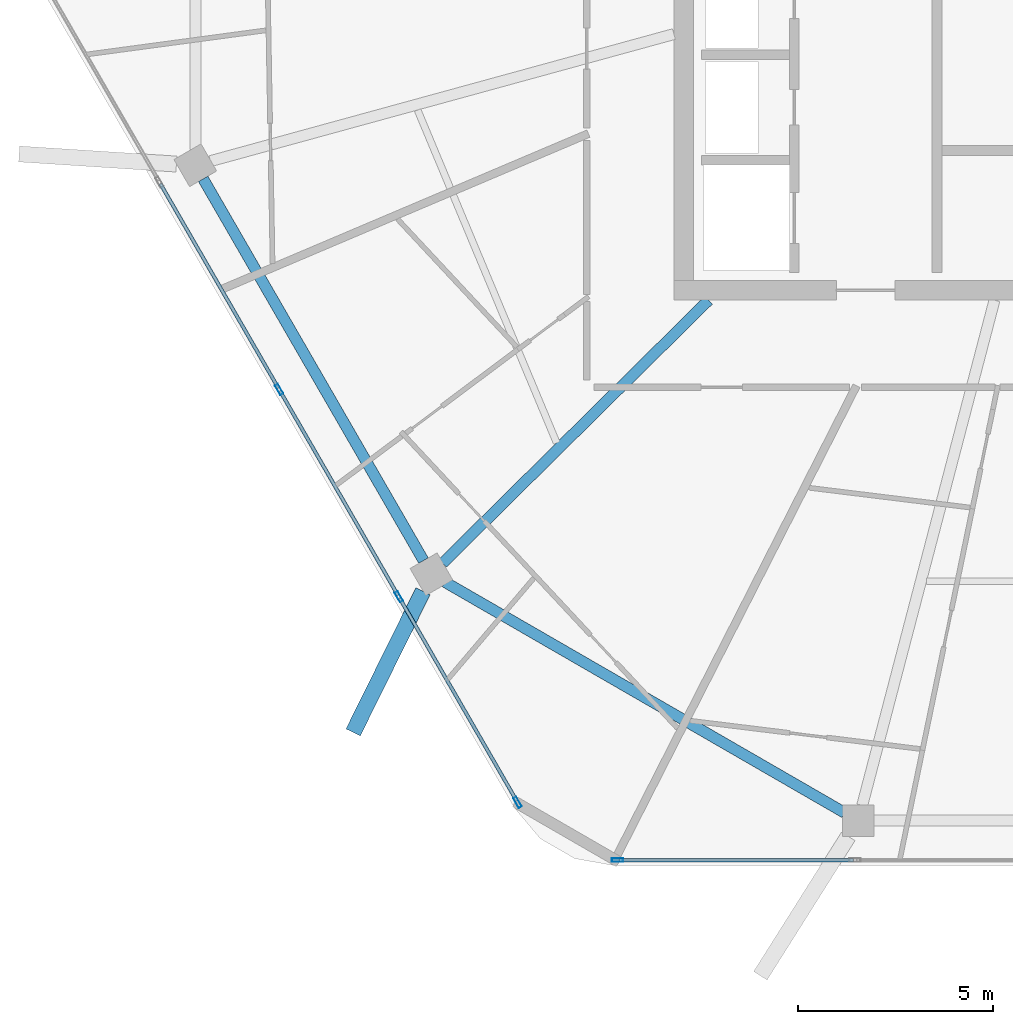
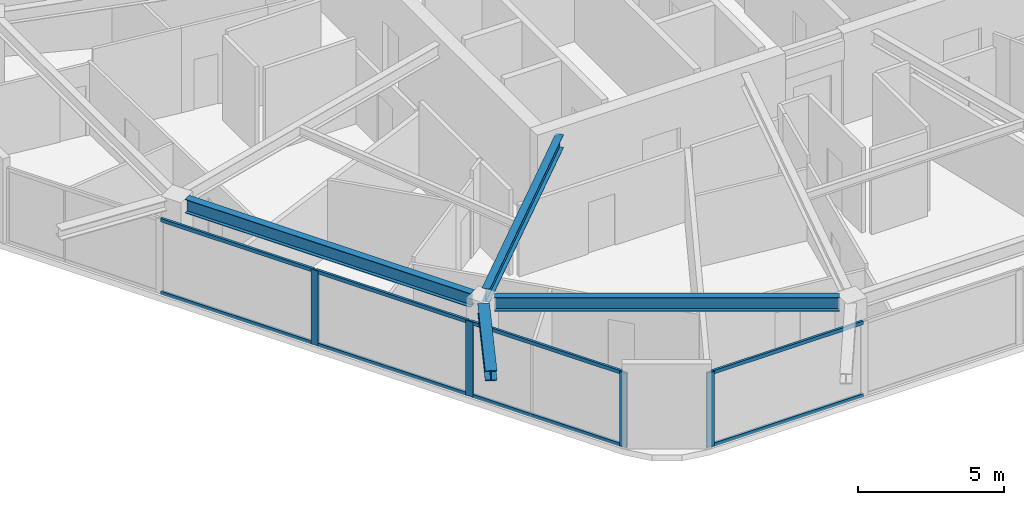
# One storey, part 2 of 19: 12 members, 4 beams, 2 elements without a shape of their own.
"""IFC4 building model written with IfcOpenShell, lengths in metres."""

import ifcopenshell
import ifcopenshell.guid

model = None  # the IFC model being written
_history = None  # IfcOwnerHistory: only IFC2X3 demands one
_inside = {}  # id of a spatial element -> (the spatial element, [elements in it])
_under = {}  # id of a project, library or spatial element -> (it, [spatial elements below it])
_declared = {}  # id of a project -> (the project, [libraries it declares])
_typed = {}  # id of a type object -> (the type object, [elements of that type])
_made_of = {}  # id of a material, layer set ... -> (it, [elements and type objects made of it])


def new_model(schema):
    """Start an empty IFC model of exactly this schema.

    Asked for "IFC4X3", IfcOpenShell would pick the latest addendum, in which some entities
    have other attributes; the version numbers below select the first issue.
    IFC2X3 requires an IfcOwnerHistory on every rooted entity: one is made here for all.
    """
    global model, _history
    if schema == "IFC4X3":
        model = ifcopenshell.file(schema_version=(4, 3, 0, 0))
    else:
        model = ifcopenshell.file(schema=schema)
    _inside.clear()
    _under.clear()
    _declared.clear()
    _typed.clear()
    _made_of.clear()
    _history = None
    if model.schema == "IFC2X3":
        org = make("IfcOrganization", Name="unknown")
        user = make(
            "IfcPersonAndOrganization",
            ThePerson=make("IfcPerson", FamilyName="unknown"),
            TheOrganization=org,
        )
        app = make(
            "IfcApplication",
            ApplicationDeveloper=org,
            Version="unknown",
            ApplicationFullName="unknown",
            ApplicationIdentifier="unknown",
        )
        _history = make(
            "IfcOwnerHistory",
            OwningUser=user,
            OwningApplication=app,
            ChangeAction="ADDED",
            CreationDate=0,
        )
    return model


def make(cls, **values):
    """One entity of the class cls with the attributes given. An attribute that is None is left unset."""
    return model.create_entity(
        cls, **{name: value for name, value in values.items() if value is not None}
    )


def rooted(cls, **values):
    """An entity with a GlobalId (a new one), such as an element, a storey or a relation."""
    return make(cls, GlobalId=ifcopenshell.guid.new(), OwnerHistory=_history, **values)


def si_unit(unit_type, name, prefix=None):
    """IfcSIUnit, for example si_unit("LENGTHUNIT", "METRE", prefix="MILLI")."""
    return make("IfcSIUnit", UnitType=unit_type, Prefix=prefix, Name=name)


def assignment(units):
    """IfcUnitAssignment: the units of a project."""
    return None if units is None else make("IfcUnitAssignment", Units=units)


def point(xyz):
    """IfcCartesianPoint."""
    return None if xyz is None else make("IfcCartesianPoint", Coordinates=xyz)


def direction(xyz):
    """IfcDirection."""
    return None if xyz is None else make("IfcDirection", DirectionRatios=xyz)


def frame(location, z_axis=None, x_axis=None):
    """IfcAxis2Placement3D, a coordinate frame: its origin and axes. An axis left out is left unset."""
    return make(
        "IfcAxis2Placement3D",
        Location=point(location),
        Axis=direction(z_axis),
        RefDirection=direction(x_axis),
    )


def frame_2d(location, x_axis=None):
    """IfcAxis2Placement2D, a coordinate frame in the plane: its origin and x axis."""
    return make(
        "IfcAxis2Placement2D", Location=point(location), RefDirection=direction(x_axis)
    )


def origin():
    """The frame at (0, 0, 0) with its axes left unset."""
    return frame((0.0, 0.0, 0.0))


def origin_2d():
    """The frame at (0, 0) in the plane with its x axis left unset."""
    return frame_2d((0.0, 0.0))


def place(relative_to, where):
    """IfcLocalPlacement: puts the frame where relative to a parent placement (None: the world)."""
    return make(
        "IfcLocalPlacement", PlacementRelTo=relative_to, RelativePlacement=where
    )


def context(
    kind, dimensions, precision=None, world=None, true_north=None, identifier=None
):
    """IfcGeometricRepresentationContext, for example the 3D "Model" context."""
    return make(
        "IfcGeometricRepresentationContext",
        ContextIdentifier=identifier,
        ContextType=kind,
        CoordinateSpaceDimension=dimensions,
        Precision=precision,
        WorldCoordinateSystem=world,
        TrueNorth=true_north,
    )


def subcontext(parent, identifier, kind, view, scale=None):
    """IfcGeometricRepresentationSubContext, for example "Body" below "Model"."""
    return make(
        "IfcGeometricRepresentationSubContext",
        ContextIdentifier=identifier,
        ContextType=kind,
        ParentContext=parent,
        TargetScale=scale,
        TargetView=view,
    )


def project(units=None, contexts=None):
    """IfcProject with its units and contexts."""
    return rooted(
        "IfcProject",
        Name="project",
        RepresentationContexts=contexts,
        UnitsInContext=assignment(units),
    )


def spatial(cls, under=None, at=None, **own):
    """A site, building, storey or space (cls), placed at a placement, below another one or the project."""
    s = rooted(cls, ObjectPlacement=at, **own)
    if under is not None:
        _under.setdefault(under.id(), (under, []))[1].append(s)
    return s


def profile(cls, at=None, kind="AREA", **sizes):
    """A parametric profile (cls). Its sizes go by their IFC names, for example OverallWidth=200.0."""
    return make(cls, ProfileType=kind, Position=at, **sizes)


def hollow_rectangle(**sizes):
    """IfcRectangleHollowProfileDef."""
    return profile("IfcRectangleHollowProfileDef", **sizes)


def i_section(**sizes):
    """IfcIShapeProfileDef."""
    return profile("IfcIShapeProfileDef", **sizes)


def extrude(swept, where, along, depth):
    """IfcExtrudedAreaSolid: the profile swept, set in the frame where, extruded along a direction by depth."""
    return make(
        "IfcExtrudedAreaSolid",
        SweptArea=swept,
        Position=where,
        ExtrudedDirection=direction(along),
        Depth=depth,
    )


def shape(context_of_items, identifier, shape_type, items):
    """IfcShapeRepresentation: the items that make up one representation, for example the "Body"."""
    return make(
        "IfcShapeRepresentation",
        ContextOfItems=context_of_items,
        RepresentationIdentifier=identifier,
        RepresentationType=shape_type,
        Items=items,
    )


def material(Name=None, Category=None):
    """IfcMaterial."""
    return make("IfcMaterial", Name=Name, Category=Category)


def material_profile(
    of_material, cross_section, Name=None, Category=None, Priority=None
):
    """IfcMaterialProfile: a cross section and its material."""
    return make(
        "IfcMaterialProfile",
        Name=Name,
        Material=of_material,
        Profile=cross_section,
        Priority=Priority,
        Category=Category,
    )


def profile_set(profiles, Name=None, composite=None):
    """IfcMaterialProfileSet."""
    return make(
        "IfcMaterialProfileSet",
        Name=Name,
        MaterialProfiles=profiles,
        CompositeProfile=composite,
    )


def made_of(thing, what):
    """Note that an element or type object is made of a material, layer set ...; save() writes the relation."""
    if what is not None:
        _made_of.setdefault(what.id(), (what, []))[1].append(thing)
    return thing


def type_object(cls, material=None, **own):
    """A type object (cls), such as IfcWallType, which elements share."""
    return made_of(rooted(cls, **own), material)


def element(
    cls,
    number,
    at=None,
    inside=None,
    cuts=None,
    type_object=None,
    material=None,
    context=None,
    identifier="Body",
    shape_type=None,
    held_by="IfcProductDefinitionShape",
    body=None,
    shapes=None,
    **own,
):
    """One element of the class cls, such as IfcWall. Its Tag is "e" and its number.

    at: its placement. inside: the storey or other place that contains it. cuts: it is an
    opening in that element (IfcRelVoidsElement). A single representation is given by context,
    identifier, shape_type and body (its items); several are given by shapes. held_by: the class
    of the entity that holds the representations. save() writes the other relations.
    """
    e = rooted(cls, Tag="e%d" % number, ObjectPlacement=at, **own)
    if body is not None:
        shapes = [shape(context, identifier, shape_type, body)]
    if shapes is not None:
        e.Representation = make(held_by, Representations=shapes)
    if inside is not None:
        _inside.setdefault(inside.id(), (inside, []))[1].append(e)
    if cuts is not None:
        rooted(
            "IfcRelVoidsElement", RelatingBuildingElement=cuts, RelatedOpeningElement=e
        )
    if type_object is not None:
        _typed.setdefault(type_object.id(), (type_object, []))[1].append(e)
    return made_of(e, material)


def aggregate(whole, parts):
    """IfcRelAggregates: a whole, such as a stair, and the parts it consists of."""
    return rooted("IfcRelAggregates", RelatingObject=whole, RelatedObjects=parts)


def save(model, path):
    """Write the relations noted so far, then the file.

    IfcRelAggregates (storeys below a building ...), IfcRelContainedInSpatialStructure (elements
    in a storey), IfcRelDefinesByType, IfcRelAssociatesMaterial and IfcRelDeclares: one each for
    every whole, place, type object, material and project.
    """
    for whole, parts in _under.values():
        aggregate(whole, parts)
    for where, things in _inside.values():
        rooted(
            "IfcRelContainedInSpatialStructure",
            RelatedElements=things,
            RelatingStructure=where,
        )
    for kind, things in _typed.values():
        rooted("IfcRelDefinesByType", RelatedObjects=things, RelatingType=kind)
    for what, things in _made_of.values():
        rooted("IfcRelAssociatesMaterial", RelatedObjects=things, RelatingMaterial=what)
    for by, libraries in _declared.values():
        rooted("IfcRelDeclares", RelatingContext=by, RelatedDefinitions=libraries)
    model.write(path)


model = new_model("IFC4")

# Units and contexts
model_context = context("Model", 3, precision=1e-05, world=origin(), true_north=direction((0.0, 1.0)))
body_context = subcontext(model_context, "Body", "Model", "MODEL_VIEW")
ifc_project = project(units=[si_unit("LENGTHUNIT", "METRE"), si_unit("AREAUNIT", "SQUARE_METRE"), si_unit("VOLUMEUNIT", "CUBIC_METRE"), si_unit("PLANEANGLEUNIT", "RADIAN"), si_unit("MASSUNIT", "GRAM", prefix="KILO")], contexts=[model_context])

# Site, building, storey
site_placement = place(None, origin())
site = spatial("IfcSite", under=ifc_project, at=site_placement, CompositionType="ELEMENT")
building_placement = place(site_placement, origin())
building = spatial("IfcBuilding", under=site, at=building_placement, Name="Zuhravey Tower", CompositionType="ELEMENT")
storey_placement = place(building_placement, frame((0.0, 0.0, 327.199951171875)))
storey = spatial("IfcBuildingStorey", under=building, at=storey_placement, Name="L83", CompositionType="ELEMENT", Elevation=327.199951171875)

# Curtain wall, member
ifc_material_1 = material(Name="Thermally broken anodised aluminium", Category="aluminium")
curtain_wall_type = type_object("IfcCurtainWallType", Name="Zone 3-4 High-Rise Curtain Wall CW4", PredefinedType="NOTDEFINED", material=ifc_material_1)
curtain_wall_1_placement = place(storey_placement, origin())
curtain_wall_1 = element("IfcCurtainWall", 1, at=curtain_wall_1_placement, inside=storey, type_object=curtain_wall_type, Name="L83 CW4 CW-L83-F5-1", PredefinedType="NOTDEFINED")
ifc_material_2 = material(Name="Anodised aluminium", Category="aluminium")
ifc_material_profile_1 = material_profile(ifc_material_2, hollow_rectangle(XDim=0.090087890625, YDim=0.284912109375, WallThickness=0.0048828125, at=origin_2d()), Name="ALU-RHS-90x285x5")
ifc_profile_set_1 = profile_set([ifc_material_profile_1], Name="Anodised aluminium")
member_type_1 = type_object("IfcMemberType", Name="Curtain-Wall Mullion 90x180", PredefinedType="MULLION", material=ifc_profile_set_1)
member_1_placement = place(storey_placement, frame((23.8056640625, 7.92578125, 0.0), z_axis=(0.0, 0.0, 1.0), x_axis=(0.0, -1.0, 0.0)))
member_1 = element("IfcMember", 2, at=member_1_placement, type_object=member_type_1, Name="CW4 mullion 5", PredefinedType="MULLION", context=body_context, shape_type="SweptSolid", body=[
    extrude(hollow_rectangle(XDim=0.090087890625, YDim=0.284912109375, WallThickness=0.0048828125, at=origin_2d()), origin(), (0.0, 0.0, 1.0), 3.1220703125),
])

# Curtain wall, members
curtain_wall_2_placement = place(storey_placement, origin())
curtain_wall_2 = element("IfcCurtainWall", 3, at=curtain_wall_2_placement, inside=storey, type_object=curtain_wall_type, Name="L83 CW4 CW-L83-F4-1", PredefinedType="NOTDEFINED")
member_2_placement = place(storey_placement, frame((21.248291015625, 9.40234375, 0.0), z_axis=(0.0, 0.0, 1.0), x_axis=(-0.866025511541, -0.49999981336, 0.0)))
member_2 = element("IfcMember", 4, at=member_2_placement, type_object=member_type_1, Name="CW4 mullion 1", PredefinedType="MULLION", context=body_context, shape_type="SweptSolid", body=[
    extrude(hollow_rectangle(XDim=0.090087890625, YDim=0.284912109375, WallThickness=0.0048828125, at=origin_2d()), origin(), (0.0, 0.0, 1.0), 3.1220703125),
])
member_3_placement = place(storey_placement, frame((18.211181640625, 14.6630859375, 0.0), z_axis=(0.0, 0.0, 1.0), x_axis=(-0.866025511541, -0.49999981336, 0.0)))
member_3 = element("IfcMember", 5, at=member_3_placement, type_object=member_type_1, Name="CW4 mullion 2", PredefinedType="MULLION", context=body_context, shape_type="SweptSolid", body=[
    extrude(hollow_rectangle(XDim=0.090087890625, YDim=0.284912109375, WallThickness=0.0048828125, at=origin_2d()), origin(), (0.0, 0.0, 1.0), 3.1220703125),
])
member_4_placement = place(storey_placement, frame((15.1513671875, 19.962890625, 0.0), z_axis=(0.0, 0.0, 1.0), x_axis=(-0.866025511541, -0.49999981336, 0.0)))
member_4 = element("IfcMember", 6, at=member_4_placement, type_object=member_type_1, Name="CW4 mullion 3", PredefinedType="MULLION", context=body_context, shape_type="SweptSolid", body=[
    extrude(hollow_rectangle(XDim=0.090087890625, YDim=0.284912109375, WallThickness=0.0048828125, at=origin_2d()), origin(), (0.0, 0.0, 1.0), 3.1220703125),
])

# Member
ifc_material_profile_2 = material_profile(ifc_material_2, hollow_rectangle(XDim=0.090087890625, YDim=0.14990234375, WallThickness=0.0048828125, at=origin_2d()), Name="ALU-RHS-90x150x5")
ifc_profile_set_2 = profile_set([ifc_material_profile_2], Name="Anodised aluminium")
member_type_2 = type_object("IfcMemberType", Name="Curtain-Wall Transom 90x150", PredefinedType="USERDEFINED", material=ifc_profile_set_2)
member_5_placement = place(storey_placement, frame((29.83544921875, 7.92578125, 0.045166015625), z_axis=(-1.0, 0.0, 0.0), x_axis=(0.0, -1.0, 0.0)))
member_5 = element("IfcMember", 7, at=member_5_placement, type_object=member_type_2, Name="CW4 transom 4.1", ObjectType="TRANSOM", PredefinedType="USERDEFINED", context=body_context, shape_type="SweptSolid", body=[
    extrude(hollow_rectangle(XDim=0.090087890625, YDim=0.14990234375, WallThickness=0.0048828125, at=origin_2d()), origin(), (0.0, 0.0, 1.0), 5.98486328125),
])

member_6_placement = place(storey_placement, frame((29.83544921875, 7.92578125, 3.0771484375), z_axis=(-1.0, 0.0, 0.0), x_axis=(0.0, -1.0, 0.0)))
member_6 = element("IfcMember", 8, at=member_6_placement, type_object=member_type_2, Name="CW4 transom 4.2", ObjectType="TRANSOM", PredefinedType="USERDEFINED", context=body_context, shape_type="SweptSolid", body=[
    extrude(hollow_rectangle(XDim=0.090087890625, YDim=0.14990234375, WallThickness=0.0048828125, at=origin_2d()), origin(), (0.0, 0.0, 1.0), 5.98486328125),
])

aggregate(curtain_wall_1, [member_1, member_5, member_6])

member_7_placement = place(storey_placement, frame((21.225830078125, 9.44140625, 0.045166015625), z_axis=(-0.499982594807, 0.866035452444, 0.0), x_axis=(-0.866035452444, -0.499982594807, 0.0)))
member_7 = element("IfcMember", 9, at=member_7_placement, type_object=member_type_2, Name="CW4 transom 1.1", ObjectType="TRANSOM", PredefinedType="USERDEFINED", context=body_context, shape_type="SweptSolid", body=[
    extrude(hollow_rectangle(XDim=0.090087890625, YDim=0.14990234375, WallThickness=0.0048828125, at=origin_2d()), origin(), (0.0, 0.0, 1.0), 5.984619140625),
])

member_8_placement = place(storey_placement, frame((21.225830078125, 9.44140625, 3.0771484375), z_axis=(-0.499982594807, 0.866035452444, 0.0), x_axis=(-0.866035452444, -0.499982594807, 0.0)))
member_8 = element("IfcMember", 10, at=member_8_placement, type_object=member_type_2, Name="CW4 transom 1.2", ObjectType="TRANSOM", PredefinedType="USERDEFINED", context=body_context, shape_type="SweptSolid", body=[
    extrude(hollow_rectangle(XDim=0.090087890625, YDim=0.14990234375, WallThickness=0.0048828125, at=origin_2d()), origin(), (0.0, 0.0, 1.0), 5.984619140625),
])

member_9_placement = place(storey_placement, frame((18.1884765625, 14.7021484375, 0.045166015625), z_axis=(-0.499971305196, 0.866041970103, 0.0), x_axis=(-0.866041970103, -0.499971305196, 0.0)))
member_9 = element("IfcMember", 11, at=member_9_placement, type_object=member_type_2, Name="CW4 transom 2.1", ObjectType="TRANSOM", PredefinedType="USERDEFINED", context=body_context, shape_type="SweptSolid", body=[
    extrude(hollow_rectangle(XDim=0.090087890625, YDim=0.14990234375, WallThickness=0.0048828125, at=origin_2d()), origin(), (0.0, 0.0, 1.0), 6.029541015625),
])

member_10_placement = place(storey_placement, frame((18.1884765625, 14.7021484375, 3.0771484375), z_axis=(-0.499971305196, 0.866041970103, 0.0), x_axis=(-0.866041970103, -0.499971305196, 0.0)))
member_10 = element("IfcMember", 12, at=member_10_placement, type_object=member_type_2, Name="CW4 transom 2.2", ObjectType="TRANSOM", PredefinedType="USERDEFINED", context=body_context, shape_type="SweptSolid", body=[
    extrude(hollow_rectangle(XDim=0.090087890625, YDim=0.14990234375, WallThickness=0.0048828125, at=origin_2d()), origin(), (0.0, 0.0, 1.0), 6.029541015625),
])

member_11_placement = place(storey_placement, frame((15.128662109375, 20.001953125, 0.045166015625), z_axis=(-0.499988837749, 0.866031848217, 0.0), x_axis=(-0.866031848217, -0.499988837749, 0.0)))
member_11 = element("IfcMember", 13, at=member_11_placement, type_object=member_type_2, Name="CW4 transom 3.1", ObjectType="TRANSOM", PredefinedType="USERDEFINED", context=body_context, shape_type="SweptSolid", body=[
    extrude(hollow_rectangle(XDim=0.090087890625, YDim=0.14990234375, WallThickness=0.0048828125, at=origin_2d()), origin(), (0.0, 0.0, 1.0), 6.029541015625),
])

member_12_placement = place(storey_placement, frame((15.128662109375, 20.001953125, 3.0771484375), z_axis=(-0.499988837749, 0.866031848217, 0.0), x_axis=(-0.866031848217, -0.499988837749, 0.0)))
member_12 = element("IfcMember", 14, at=member_12_placement, type_object=member_type_2, Name="CW4 transom 3.2", ObjectType="TRANSOM", PredefinedType="USERDEFINED", context=body_context, shape_type="SweptSolid", body=[
    extrude(hollow_rectangle(XDim=0.090087890625, YDim=0.14990234375, WallThickness=0.0048828125, at=origin_2d()), origin(), (0.0, 0.0, 1.0), 6.029541015625),
])

aggregate(curtain_wall_2, [member_2, member_3, member_4, member_7, member_8, member_9, member_10, member_11, member_12])

# Beams
ifc_material_3 = material(Name="Steel SM460", Category="steel")
ifc_material_profile_3 = material_profile(ifc_material_3, i_section(OverallWidth=0.406982421875, OverallDepth=0.427978515625, WebThickness=0.02001953125, FlangeThickness=0.034912109375, at=origin_2d()), Name="H-428x407x20x35")
ifc_profile_set_3 = profile_set([ifc_material_profile_3], Name="Steel SM460")
beam_type_1 = type_object("IfcBeamType", Name="Exoskeleton Node Tie Beam H428x407", PredefinedType="BEAM", material=ifc_profile_set_3)
beam_1_placement = place(storey_placement, frame((18.830322265625, 14.803955078125, 3.3359375), z_axis=(-0.443647780465, -0.896201231247, 0.0), x_axis=(0.896201231247, -0.443647780465, 0.0)))
element("IfcBeam", 15, at=beam_1_placement, inside=storey, type_object=beam_type_1, Name="L83 Exoskeleton Node Tie NT1-08", PredefinedType="BEAM", context=body_context, shape_type="SweptSolid", body=[
    extrude(i_section(OverallWidth=0.406982421875, OverallDepth=0.427978515625, WebThickness=0.02001953125, FlangeThickness=0.034912109375, at=origin_2d()), origin(), (0.0, 0.0, 1.0), 4.02978515625),
])
ifc_material_4 = material(Name="Steel SM355", Category="steel")
ifc_material_profile_4 = material_profile(ifc_material_4, i_section(OverallWidth=0.280029296875, OverallDepth=0.580078125, WebThickness=0.011962890625, FlangeThickness=0.01904296875, at=origin_2d()), Name="H-580x280x12x19")
ifc_profile_set_4 = profile_set([ifc_material_profile_4], Name="Steel SM355")
beam_type_2 = type_object("IfcBeamType", Name="Perimeter Ring Beam H580x280", PredefinedType="BEAM", material=ifc_profile_set_4)
beam_2_placement = place(storey_placement, frame((13.2080078125, 25.3486328125, 3.260009765625), z_axis=(0.500006198144, -0.866021825255, 0.0), x_axis=(0.866021825255, 0.500006198144, 0.0)))
element("IfcBeam", 16, at=beam_2_placement, inside=storey, type_object=beam_type_2, Name="L83 PB4 BM-L83-PB-07", PredefinedType="BEAM", context=body_context, shape_type="SweptSolid", body=[
    extrude(i_section(OverallWidth=0.280029296875, OverallDepth=0.580078125, WebThickness=0.011962890625, FlangeThickness=0.01904296875, at=origin_2d()), origin(), (0.0, 0.0, 1.0), 11.271240234375),
])
beam_3_placement = place(storey_placement, frame((19.394287109375, 15.036865234375, 3.260009765625), z_axis=(0.866023977509, -0.500002470373, 0.0), x_axis=(0.500002470373, 0.866023977509, 0.0)))
element("IfcBeam", 17, at=beam_3_placement, inside=storey, type_object=beam_type_2, Name="L83 PB4 BM-L83-PB-08", PredefinedType="BEAM", context=body_context, shape_type="SweptSolid", body=[
    extrude(i_section(OverallWidth=0.280029296875, OverallDepth=0.580078125, WebThickness=0.011962890625, FlangeThickness=0.01904296875, at=origin_2d()), origin(), (0.0, 0.0, 1.0), 11.798828125),
])
ifc_material_profile_5 = material_profile(ifc_material_4, i_section(OverallWidth=0.280029296875, OverallDepth=0.550048828125, WebThickness=0.010986328125, FlangeThickness=0.01806640625, at=origin_2d()), Name="H-550x280x11x18")
ifc_profile_set_5 = profile_set([ifc_material_profile_5], Name="Steel SM355")
beam_type_3 = type_object("IfcBeamType", Name="Radial Primary Girder H550x280", PredefinedType="BEAM", material=ifc_profile_set_5)
beam_4_placement = place(storey_placement, frame((26.134765625, 22.2470703125, 3.275146484375), z_axis=(-0.711153035666, -0.703037239314, 0.0), x_axis=(0.703037239314, -0.711153035666, 0.0)))
element("IfcBeam", 18, at=beam_4_placement, inside=storey, type_object=beam_type_3, Name="L83 RG4 BM-L83-RAD-08", PredefinedType="BEAM", context=body_context, shape_type="SweptSolid", body=[
    extrude(i_section(OverallWidth=0.280029296875, OverallDepth=0.550048828125, WebThickness=0.010986328125, FlangeThickness=0.01806640625, at=origin_2d()), origin(), (0.0, 0.0, 1.0), 9.566162109375),
])

save(model, "model.ifc")
